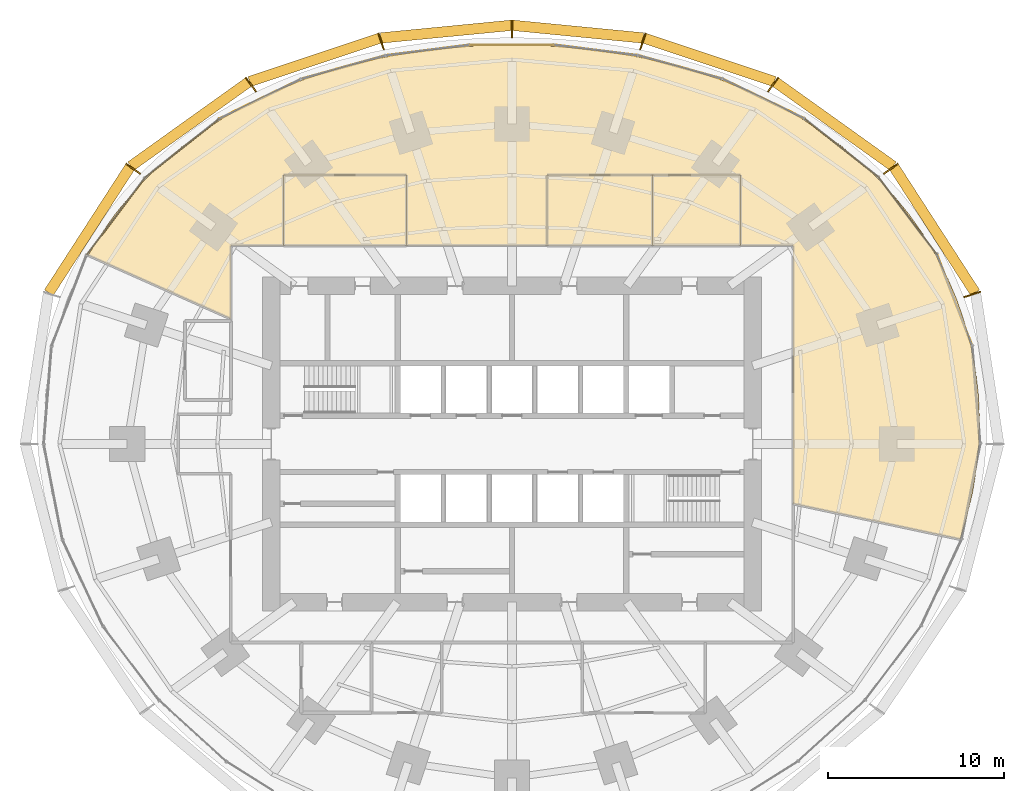
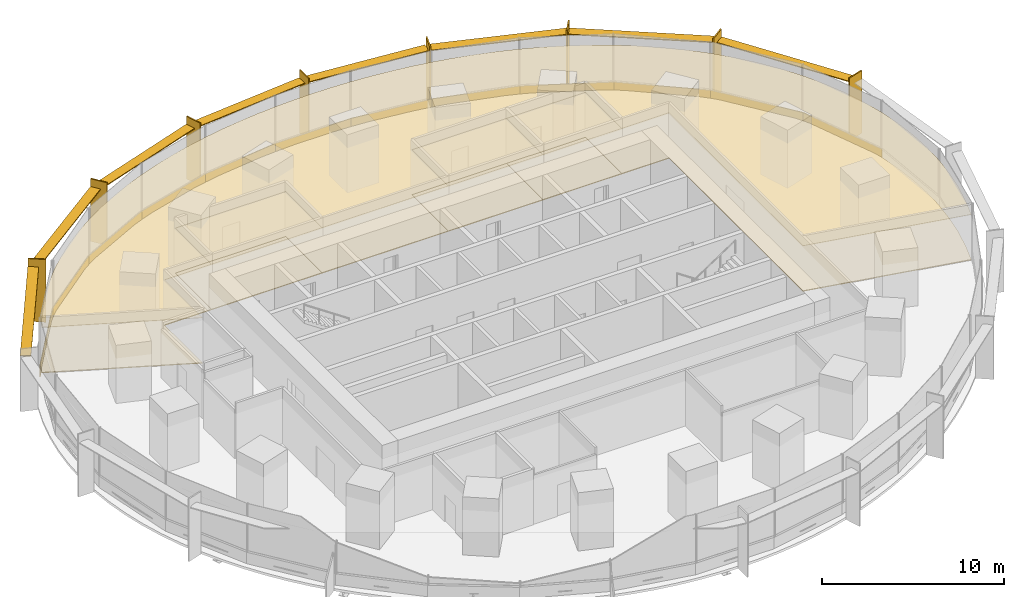
# One storey, part 15 of 15: 20 coverings, 16 shading devices.
"""IFC4 building model written with IfcOpenShell, lengths in metres."""

from ifc_helpers import new_model, si_unit, direction, frame, origin, origin_2d, place, context, subcontext, project, spatial, polyline, rectangle, outline, extrude, material, layer, layer_set, type_object, element, save


model = new_model("IFC4")

# Units and contexts
model_context = context("Model", 3, precision=1e-05, world=origin(), true_north=direction((0.0, 1.0)))
body_context = subcontext(model_context, "Body", "Model", "MODEL_VIEW")
ifc_project = project(units=[si_unit("LENGTHUNIT", "METRE"), si_unit("AREAUNIT", "SQUARE_METRE"), si_unit("VOLUMEUNIT", "CUBIC_METRE"), si_unit("PLANEANGLEUNIT", "RADIAN"), si_unit("MASSUNIT", "GRAM", prefix="KILO")], contexts=[model_context])

# Site, building, storey
site_placement = place(None, origin())
site = spatial("IfcSite", under=ifc_project, at=site_placement, CompositionType="ELEMENT")
building_placement = place(site_placement, origin())
building = spatial("IfcBuilding", under=site, at=building_placement, Name="Marramba Exchange Tower", CompositionType="ELEMENT")
storey_placement = place(building_placement, frame((0.0, 0.0, 36.39990234375)))
storey = spatial("IfcBuildingStorey", under=building, at=storey_placement, Name="L08", CompositionType="ELEMENT", Elevation=36.39990234375)

# Shading devices
ifc_material_1 = material(Name="Aluminium blade, timber-look bronze finish", Category="wood")
ifc_layer_1 = layer(ifc_material_1, 0.080078125)
ifc_layer_set_1 = layer_set([ifc_layer_1], Name="Floor-edge blade 1000x80")
shading_device_type_1 = type_object("IfcShadingDeviceType", Name="Floor-edge blade 1000x80", PredefinedType="USERDEFINED", material=ifc_layer_set_1)
for number, where, z_axis, x_axis, name in (
    (1, (26.193115234375, 8.5107421875, -0.15966796875), (0.0, 0.0, 1.0), (0.951056516295, 0.309016994375, 0.0), "Floor-edge blade FB1 L08 TC02"),
    (2, (21.56298828125, 15.66650390625, -0.15966796875), (0.0, 0.0, 1.0), (0.809016994375, 0.587785252292, 0.0), "Floor-edge blade FB1 L08 TC03"),
    (3, (14.857666015625, 20.449951171875, -0.15966796875), (0.0, 0.0, 1.0), (0.587785252292, 0.809016994375, 0.0), "Floor-edge blade FB1 L08 TC04"),
    (4, (7.444091796875, 22.910888671875, -0.15966796875), (0.0, 0.0, 1.0), (0.309016994375, 0.951056516295, 0.0), "Floor-edge blade FB1 L08 TC05"),
    (5, (0.0, 23.6279296875, -0.15966796875), (0.0, 0.0, 1.0), (0.0, 1.0, 0.0), "Floor-edge blade FB1 L08 TC06"),
    (6, (-7.444091796875, 22.910888671875, -0.15966796875), (0.0, 0.0, 1.0), (-0.309016994375, 0.951056516295, 0.0), "Floor-edge blade FB1 L08 TC07"),
    (7, (-14.857666015625, 20.449951171875, -0.15966796875), (0.0, 0.0, 1.0), (-0.587785252292, 0.809016994375, 0.0), "Floor-edge blade FB1 L08 TC08"),
    (8, (-21.56298828125, 15.66650390625, -0.15966796875), (0.0, 0.0, 1.0), (-0.809016994375, 0.587785252292, 0.0), "Floor-edge blade FB1 L08 TC09"),
):
    element("IfcShadingDevice", number, at=place(storey_placement, frame(where, z_axis=z_axis, x_axis=x_axis)), inside=storey, type_object=shading_device_type_1, Name=name, ObjectType="FIN", PredefinedType="USERDEFINED", context=body_context, shape_type="SweptSolid", body=[
        extrude(rectangle(XDim=1.0, YDim=0.080078125, at=origin_2d()), origin(), (0.0, 0.0, 1.0), 4.199951171875),
    ])

# Coverings
ifc_material_2 = material(Name="Steel raised access floor panels", Category="steel")
ifc_layer_2 = layer(ifc_material_2, 0.050048828125)
ifc_layer_set_2 = layer_set([ifc_layer_2], Name="Raised access floor 300")
covering_type_1 = type_object("IfcCoveringType", Name="Raised access floor 300", PredefinedType="FLOORING", material=ifc_layer_set_2)
covering_1_placement = place(storey_placement, frame((0.0, 0.0, 0.25)))
element("IfcCovering", 9, at=covering_1_placement, inside=storey, type_object=covering_type_1, Name="Raised access floor RAF1 L08 Trading Floor 1", PredefinedType="FLOORING", context=body_context, shape_type="SweptSolid", body=[
    extrude(outline(polyline([(13.0, 11.300048828125), (13.0, 15.300048828125), (8.0, 15.300048828125), (2.0, 15.300048828125), (2.0, 11.300048828125), (-6.0, 11.300048828125), (-6.0, 15.300048828125), (-13.0, 15.300048828125), (-13.0, 11.300048828125), (-16.0, 11.300048828125), (-16.0, 7.123779296875), (-24.12353515625, 10.740478515625), (-23.40380859375, 11.9248046875), (-22.607177734375, 13.05224609375), (-21.740478515625, 14.118408203125), (-20.810791015625, 15.119873046875), (-19.8251953125, 16.05419921875), (-18.791259765625, 16.919677734375), (-17.71630859375, 17.71630859375), (-16.60693359375, 18.44384765625), (-15.4697265625, 19.103759765625), (-14.31103515625, 19.697509765625), (-13.135986328125, 20.2275390625), (-11.94921875, 20.69677734375), (-10.755126953125, 21.10791015625), (-9.556640625, 21.464599609375), (-8.356689453125, 21.76953125), (-7.15673828125, 22.0263671875), (-5.95849609375, 22.23779296875), (-4.7626953125, 22.406982421875), (-3.5693359375, 22.535888671875), (-2.378173828125, 22.62646484375), (-1.188720703125, 22.68017578125), (0.0, 22.697998046875), (1.188720703125, 22.68017578125), (2.378173828125, 22.62646484375), (3.5693359375, 22.535888671875), (4.7626953125, 22.406982421875), (5.95849609375, 22.23779296875), (7.15673828125, 22.0263671875), (8.356689453125, 21.76953125), (9.556640625, 21.464599609375), (10.755126953125, 21.10791015625), (11.94921875, 20.69677734375), (13.135986328125, 20.2275390625), (14.31103515625, 19.697509765625), (15.4697265625, 19.103759765625), (16.60693359375, 18.44384765625), (17.71630859375, 17.71630859375), (18.791259765625, 16.919677734375), (19.8251953125, 16.05419921875), (20.810791015625, 15.119873046875), (21.740478515625, 14.118408203125), (22.607177734375, 13.05224609375), (23.40380859375, 11.9248046875), (24.12353515625, 10.740478515625), (24.76025390625, 9.50439453125), (25.30859375, 8.22314453125), (25.763916015625, 6.9033203125), (26.123291015625, 5.552734375), (26.3837890625, 4.1787109375), (26.544921875, 2.7900390625), (26.6064453125, 1.394287109375), (26.570068359375, 0.0), (26.43798828125, -1.385498046875), (26.213623046875, -2.755126953125), (25.9013671875, -4.102294921875), (25.50634765625, -5.421630859375), (16.0, -3.40087890625), (16.0, 11.300048828125), (13.0, 11.300048828125)])), origin(), (0.0, 0.0, 1.0), 0.050048828125),
])
covering_2_placement = place(storey_placement, frame((0.0, 0.0, 0.25)))
element("IfcCovering", 10, at=covering_2_placement, inside=storey, type_object=covering_type_1, Name="Raised access floor RAF1 L08 Meeting Room 1", PredefinedType="FLOORING", context=body_context, shape_type="SweptSolid", body=[
    extrude(outline(polyline([(8.0, 11.300048828125), (2.0, 11.300048828125), (2.0, 15.300048828125), (8.0, 15.300048828125), (8.0, 11.300048828125)])), origin(), (0.0, 0.0, 1.0), 0.050048828125),
])
covering_3_placement = place(storey_placement, frame((0.0, 0.0, 0.25)))
element("IfcCovering", 11, at=covering_3_placement, inside=storey, type_object=covering_type_1, Name="Raised access floor RAF1 L08 Data Room 1", PredefinedType="FLOORING", context=body_context, shape_type="SweptSolid", body=[
    extrude(outline(polyline([(13.0, 11.300048828125), (8.0, 11.300048828125), (8.0, 15.300048828125), (13.0, 15.300048828125), (13.0, 11.300048828125)])), origin(), (0.0, 0.0, 1.0), 0.050048828125),
])
covering_4_placement = place(storey_placement, frame((0.0, 0.0, 0.25)))
element("IfcCovering", 12, at=covering_4_placement, inside=storey, type_object=covering_type_1, Name="Raised access floor RAF1 L08 Meeting Room 2", PredefinedType="FLOORING", context=body_context, shape_type="SweptSolid", body=[
    extrude(outline(polyline([(-6.0, 11.300048828125), (-13.0, 11.300048828125), (-13.0, 15.300048828125), (-6.0, 15.300048828125), (-6.0, 11.300048828125)])), origin(), (0.0, 0.0, 1.0), 0.050048828125),
])

# Shading devices
ifc_material_3 = material(Name="Aluminium sunshade, bronze anodised", Category="aluminium")
ifc_layer_3 = layer(ifc_material_3, 0.06005859375)
ifc_layer_set_3 = layer_set([ifc_layer_3], Name="SUNSHADE blade 600x60")
shading_device_type_2 = type_object("IfcShadingDeviceType", Name="SUNSHADE blade 600x60", PredefinedType="USERDEFINED", material=ifc_layer_set_3)
shading_device_1_placement = place(storey_placement, frame((24.053955078125, 12.17822265625, 3.4599609375), z_axis=(0.0, 0.0, 1.0), x_axis=(-0.542596596948, 0.839993412462, 0.0)))
element("IfcShadingDevice", 13, at=shading_device_1_placement, inside=storey, type_object=shading_device_type_2, Name="Sunshade SS1 L08 bay 02", ObjectType="SUNSHADE", PredefinedType="USERDEFINED", context=body_context, shape_type="SweptSolid", body=[
    extrude(rectangle(XDim=8.50537109375, YDim=0.60009765625, at=origin_2d()), origin(), (0.0, 0.0, 1.0), 0.06005859375),
])
shading_device_2_placement = place(storey_placement, frame((18.35009765625, 18.19775390625, 3.4599609375), z_axis=(0.0, 0.0, 1.0), x_axis=(-0.813362978246, 0.581756534659, 0.0)))
element("IfcShadingDevice", 14, at=shading_device_2_placement, inside=storey, type_object=shading_device_type_2, Name="Sunshade SS1 L08 bay 03", ObjectType="SUNSHADE", PredefinedType="USERDEFINED", context=body_context, shape_type="SweptSolid", body=[
    extrude(rectangle(XDim=8.218505859375, YDim=0.60009765625, at=origin_2d()), origin(), (0.0, 0.0, 1.0), 0.06005859375),
])
shading_device_3_placement = place(storey_placement, frame((11.24072265625, 21.8564453125, 3.4599609375), z_axis=(0.0, 0.0, 1.0), x_axis=(-0.948697789537, 0.316184288235, 0.0)))
element("IfcShadingDevice", 15, at=shading_device_3_placement, inside=storey, type_object=shading_device_type_2, Name="Sunshade SS1 L08 bay 04", ObjectType="SUNSHADE", PredefinedType="USERDEFINED", context=body_context, shape_type="SweptSolid", body=[
    extrude(rectangle(XDim=7.793212890625, YDim=0.60009765625, at=origin_2d()), origin(), (0.0, 0.0, 1.0), 0.06005859375),
])
for number, where, z_axis, x_axis, name in (
    (16, (3.7529296875, 23.464599609375, 3.4599609375), (0.0, 0.0, 1.0), (-0.995342876176, 0.096397919302, 0.0), "Sunshade SS1 L08 bay 05"),
    (17, (-3.7529296875, 23.464599609375, 3.4599609375), (0.0, 0.0, 1.0), (-0.995342876176, -0.096397919302, 0.0), "Sunshade SS1 L08 bay 06"),
):
    element("IfcShadingDevice", number, at=place(storey_placement, frame(where, z_axis=z_axis, x_axis=x_axis)), inside=storey, type_object=shading_device_type_2, Name=name, ObjectType="SUNSHADE", PredefinedType="USERDEFINED", context=body_context, shape_type="SweptSolid", body=[
        extrude(rectangle(XDim=7.461181640625, YDim=0.60009765625, at=origin_2d()), origin(), (0.0, 0.0, 1.0), 0.06005859375),
    ])
shading_device_4_placement = place(storey_placement, frame((-11.24072265625, 21.8564453125, 3.4599609375), z_axis=(0.0, 0.0, 1.0), x_axis=(-0.948697789537, -0.316184288235, 0.0)))
element("IfcShadingDevice", 18, at=shading_device_4_placement, inside=storey, type_object=shading_device_type_2, Name="Sunshade SS1 L08 bay 07", ObjectType="SUNSHADE", PredefinedType="USERDEFINED", context=body_context, shape_type="SweptSolid", body=[
    extrude(rectangle(XDim=7.793212890625, YDim=0.60009765625, at=origin_2d()), origin(), (0.0, 0.0, 1.0), 0.06005859375),
])
shading_device_5_placement = place(storey_placement, frame((-18.35009765625, 18.19775390625, 3.4599609375), z_axis=(0.0, 0.0, 1.0), x_axis=(-0.813362978246, -0.581756534659, 0.0)))
element("IfcShadingDevice", 19, at=shading_device_5_placement, inside=storey, type_object=shading_device_type_2, Name="Sunshade SS1 L08 bay 08", ObjectType="SUNSHADE", PredefinedType="USERDEFINED", context=body_context, shape_type="SweptSolid", body=[
    extrude(rectangle(XDim=8.218505859375, YDim=0.60009765625, at=origin_2d()), origin(), (0.0, 0.0, 1.0), 0.06005859375),
])
shading_device_6_placement = place(storey_placement, frame((-24.053955078125, 12.17822265625, 3.4599609375), z_axis=(0.0, 0.0, 1.0), x_axis=(-0.542596596948, -0.839993412462, 0.0)))
element("IfcShadingDevice", 20, at=shading_device_6_placement, inside=storey, type_object=shading_device_type_2, Name="Sunshade SS1 L08 bay 09", ObjectType="SUNSHADE", PredefinedType="USERDEFINED", context=body_context, shape_type="SweptSolid", body=[
    extrude(rectangle(XDim=8.50537109375, YDim=0.60009765625, at=origin_2d()), origin(), (0.0, 0.0, 1.0), 0.06005859375),
])

# Coverings
ifc_material_4 = material(Name="Aluminium spandrel panel, bronze anodised, insulated", Category="aluminium")
ifc_layer_4 = layer(ifc_material_4, 0.050048828125)
ifc_layer_set_4 = layer_set([ifc_layer_4], Name="Spandrel panel 800")
covering_type_2 = type_object("IfcCoveringType", Name="Spandrel panel 800", PredefinedType="CLADDING", material=ifc_layer_set_4)
covering_5_placement = place(storey_placement, frame((25.198974609375, 8.171142578125, 0.0), z_axis=(0.0, 0.0, 1.0), x_axis=(-0.359525512701, 0.933135255854, 0.0)))
element("IfcCovering", 21, at=covering_5_placement, inside=storey, type_object=covering_type_2, Name="Spandrel panel SP1 L08 F02", PredefinedType="CLADDING", context=body_context, shape_type="SweptSolid", body=[
    extrude(rectangle(XDim=5.57666015625, YDim=0.050048828125, at=origin_2d()), origin(), (0.0, 0.0, 1.0), 0.800048828125),
])
covering_6_placement = place(storey_placement, frame((22.535888671875, 12.969970703125, 0.0), z_axis=(0.0, 0.0, 1.0), x_axis=(-0.602989761876, 0.797748924834, 0.0)))
element("IfcCovering", 22, at=covering_6_placement, inside=storey, type_object=covering_type_2, Name="Spandrel panel SP1 L08 F03", PredefinedType="CLADDING", context=body_context, shape_type="SweptSolid", body=[
    extrude(rectangle(XDim=5.5078125, YDim=0.050048828125, at=origin_2d()), origin(), (0.0, 0.0, 1.0), 0.800048828125),
])
covering_7_placement = place(storey_placement, frame((18.767822265625, 16.8349609375, 0.0), z_axis=(0.0, 0.0, 1.0), x_axis=(-0.784087946735, 0.620649733574, 0.0)))
element("IfcCovering", 23, at=covering_7_placement, inside=storey, type_object=covering_type_2, Name="Spandrel panel SP1 L08 F04", PredefinedType="CLADDING", context=body_context, shape_type="SweptSolid", body=[
    extrude(rectangle(XDim=5.375732421875, YDim=0.050048828125, at=origin_2d()), origin(), (0.0, 0.0, 1.0), 0.800048828125),
])
covering_8_placement = place(storey_placement, frame((14.324951171875, 19.634765625, 0.0), z_axis=(0.0, 0.0, 1.0), x_axis=(-0.899963432359, 0.435965389012, 0.0)))
element("IfcCovering", 24, at=covering_8_placement, inside=storey, type_object=covering_type_2, Name="Spandrel panel SP1 L08 F05", PredefinedType="CLADDING", context=body_context, shape_type="SweptSolid", body=[
    extrude(rectangle(XDim=5.1904296875, YDim=0.050048828125, at=origin_2d()), origin(), (0.0, 0.0, 1.0), 0.800048828125),
])
covering_9_placement = place(storey_placement, frame((9.58544921875, 21.434326171875, 0.0), z_axis=(0.0, 0.0, 1.0), x_axis=(-0.963472098411, 0.267808729475, 0.0)))
element("IfcCovering", 25, at=covering_9_placement, inside=storey, type_object=covering_type_2, Name="Spandrel panel SP1 L08 F06", PredefinedType="CLADDING", context=body_context, shape_type="SweptSolid", body=[
    extrude(rectangle(XDim=4.989990234375, YDim=0.050048828125, at=origin_2d()), origin(), (0.0, 0.0, 1.0), 0.800048828125),
])
covering_10_placement = place(storey_placement, frame((4.783935546875, 22.404296875, 0.0), z_axis=(0.0, 0.0, 1.0), x_axis=(-0.992172768222, 0.124872727203, 0.0)))
element("IfcCovering", 26, at=covering_10_placement, inside=storey, type_object=covering_type_2, Name="Spandrel panel SP1 L08 F07", PredefinedType="CLADDING", context=body_context, shape_type="SweptSolid", body=[
    extrude(rectangle(XDim=4.832763671875, YDim=0.050048828125, at=origin_2d()), origin(), (0.0, 0.0, 1.0), 0.800048828125),
])
covering_11_placement = place(storey_placement, frame((0.0, 22.7060546875, 0.0), z_axis=(0.0, 0.0, 1.0), x_axis=(-1.0, 0.0, 0.0)))
element("IfcCovering", 27, at=covering_11_placement, inside=storey, type_object=covering_type_2, Name="Spandrel panel SP1 L08 F08", PredefinedType="CLADDING", context=body_context, shape_type="SweptSolid", body=[
    extrude(rectangle(XDim=4.77294921875, YDim=0.050048828125, at=origin_2d()), origin(), (0.0, 0.0, 1.0), 0.800048828125),
])
covering_12_placement = place(storey_placement, frame((-4.783935546875, 22.404296875, 0.0), z_axis=(0.0, 0.0, 1.0), x_axis=(-0.992172768222, -0.124872727203, 0.0)))
element("IfcCovering", 28, at=covering_12_placement, inside=storey, type_object=covering_type_2, Name="Spandrel panel SP1 L08 F09", PredefinedType="CLADDING", context=body_context, shape_type="SweptSolid", body=[
    extrude(rectangle(XDim=4.832763671875, YDim=0.050048828125, at=origin_2d()), origin(), (0.0, 0.0, 1.0), 0.800048828125),
])
covering_13_placement = place(storey_placement, frame((-9.58544921875, 21.434326171875, 0.0), z_axis=(0.0, 0.0, 1.0), x_axis=(-0.963472098411, -0.267808729475, 0.0)))
element("IfcCovering", 29, at=covering_13_placement, inside=storey, type_object=covering_type_2, Name="Spandrel panel SP1 L08 F10", PredefinedType="CLADDING", context=body_context, shape_type="SweptSolid", body=[
    extrude(rectangle(XDim=4.989990234375, YDim=0.050048828125, at=origin_2d()), origin(), (0.0, 0.0, 1.0), 0.800048828125),
])
covering_14_placement = place(storey_placement, frame((-14.324951171875, 19.634765625, 0.0), z_axis=(0.0, 0.0, 1.0), x_axis=(-0.899963432359, -0.435965389012, 0.0)))
element("IfcCovering", 30, at=covering_14_placement, inside=storey, type_object=covering_type_2, Name="Spandrel panel SP1 L08 F11", PredefinedType="CLADDING", context=body_context, shape_type="SweptSolid", body=[
    extrude(rectangle(XDim=5.1904296875, YDim=0.050048828125, at=origin_2d()), origin(), (0.0, 0.0, 1.0), 0.800048828125),
])
covering_15_placement = place(storey_placement, frame((-18.767822265625, 16.8349609375, 0.0), z_axis=(0.0, 0.0, 1.0), x_axis=(-0.784087946735, -0.620649733574, 0.0)))
element("IfcCovering", 31, at=covering_15_placement, inside=storey, type_object=covering_type_2, Name="Spandrel panel SP1 L08 F12", PredefinedType="CLADDING", context=body_context, shape_type="SweptSolid", body=[
    extrude(rectangle(XDim=5.375732421875, YDim=0.050048828125, at=origin_2d()), origin(), (0.0, 0.0, 1.0), 0.800048828125),
])
covering_16_placement = place(storey_placement, frame((-22.535888671875, 12.969970703125, 0.0), z_axis=(0.0, 0.0, 1.0), x_axis=(-0.602989761876, -0.797748924834, 0.0)))
element("IfcCovering", 32, at=covering_16_placement, inside=storey, type_object=covering_type_2, Name="Spandrel panel SP1 L08 F13", PredefinedType="CLADDING", context=body_context, shape_type="SweptSolid", body=[
    extrude(rectangle(XDim=5.5078125, YDim=0.050048828125, at=origin_2d()), origin(), (0.0, 0.0, 1.0), 0.800048828125),
])
ifc_material_5 = material(Name="Mineral fibre ceiling tiles", Category="gypsum")
ifc_layer_5 = layer(ifc_material_5, 0.02001953125)
ifc_layer_set_5 = layer_set([ifc_layer_5], Name="Suspended ceiling 20")
covering_type_3 = type_object("IfcCoveringType", Name="Suspended ceiling 20", PredefinedType="CEILING", material=ifc_layer_set_5)
covering_17_placement = place(storey_placement, frame((0.0, 0.0, 3.300048828125)))
element("IfcCovering", 33, at=covering_17_placement, inside=storey, type_object=covering_type_3, Name="Ceiling CL1 L08 Trading Floor 1", PredefinedType="CEILING", context=body_context, shape_type="SweptSolid", body=[
    extrude(outline(polyline([(13.0, 11.300048828125), (13.0, 15.300048828125), (8.0, 15.300048828125), (2.0, 15.300048828125), (2.0, 11.300048828125), (-6.0, 11.300048828125), (-6.0, 15.300048828125), (-13.0, 15.300048828125), (-13.0, 11.300048828125), (-16.0, 11.300048828125), (-16.0, 7.123779296875), (-24.12353515625, 10.740478515625), (-23.40380859375, 11.9248046875), (-22.607177734375, 13.05224609375), (-21.740478515625, 14.118408203125), (-20.810791015625, 15.119873046875), (-19.8251953125, 16.05419921875), (-18.791259765625, 16.919677734375), (-17.71630859375, 17.71630859375), (-16.60693359375, 18.44384765625), (-15.4697265625, 19.103759765625), (-14.31103515625, 19.697509765625), (-13.135986328125, 20.2275390625), (-11.94921875, 20.69677734375), (-10.755126953125, 21.10791015625), (-9.556640625, 21.464599609375), (-8.356689453125, 21.76953125), (-7.15673828125, 22.0263671875), (-5.95849609375, 22.23779296875), (-4.7626953125, 22.406982421875), (-3.5693359375, 22.535888671875), (-2.378173828125, 22.62646484375), (-1.188720703125, 22.68017578125), (0.0, 22.697998046875), (1.188720703125, 22.68017578125), (2.378173828125, 22.62646484375), (3.5693359375, 22.535888671875), (4.7626953125, 22.406982421875), (5.95849609375, 22.23779296875), (7.15673828125, 22.0263671875), (8.356689453125, 21.76953125), (9.556640625, 21.464599609375), (10.755126953125, 21.10791015625), (11.94921875, 20.69677734375), (13.135986328125, 20.2275390625), (14.31103515625, 19.697509765625), (15.4697265625, 19.103759765625), (16.60693359375, 18.44384765625), (17.71630859375, 17.71630859375), (18.791259765625, 16.919677734375), (19.8251953125, 16.05419921875), (20.810791015625, 15.119873046875), (21.740478515625, 14.118408203125), (22.607177734375, 13.05224609375), (23.40380859375, 11.9248046875), (24.12353515625, 10.740478515625), (24.76025390625, 9.50439453125), (25.30859375, 8.22314453125), (25.763916015625, 6.9033203125), (26.123291015625, 5.552734375), (26.3837890625, 4.1787109375), (26.544921875, 2.7900390625), (26.6064453125, 1.394287109375), (26.570068359375, 0.0), (26.43798828125, -1.385498046875), (26.213623046875, -2.755126953125), (25.9013671875, -4.102294921875), (25.50634765625, -5.421630859375), (16.0, -3.40087890625), (16.0, 11.300048828125), (13.0, 11.300048828125)])), origin(), (0.0, 0.0, 1.0), 0.02001953125),
])
covering_18_placement = place(storey_placement, frame((0.0, 0.0, 3.300048828125)))
element("IfcCovering", 34, at=covering_18_placement, inside=storey, type_object=covering_type_3, Name="Ceiling CL1 L08 Meeting Room 1", PredefinedType="CEILING", context=body_context, shape_type="SweptSolid", body=[
    extrude(outline(polyline([(8.0, 11.300048828125), (2.0, 11.300048828125), (2.0, 15.300048828125), (8.0, 15.300048828125), (8.0, 11.300048828125)])), origin(), (0.0, 0.0, 1.0), 0.02001953125),
])
covering_19_placement = place(storey_placement, frame((0.0, 0.0, 3.300048828125)))
element("IfcCovering", 35, at=covering_19_placement, inside=storey, type_object=covering_type_3, Name="Ceiling CL1 L08 Data Room 1", PredefinedType="CEILING", context=body_context, shape_type="SweptSolid", body=[
    extrude(outline(polyline([(13.0, 11.300048828125), (8.0, 11.300048828125), (8.0, 15.300048828125), (13.0, 15.300048828125), (13.0, 11.300048828125)])), origin(), (0.0, 0.0, 1.0), 0.02001953125),
])
covering_20_placement = place(storey_placement, frame((0.0, 0.0, 3.300048828125)))
element("IfcCovering", 36, at=covering_20_placement, inside=storey, type_object=covering_type_3, Name="Ceiling CL1 L08 Meeting Room 2", PredefinedType="CEILING", context=body_context, shape_type="SweptSolid", body=[
    extrude(outline(polyline([(-6.0, 11.300048828125), (-13.0, 11.300048828125), (-13.0, 15.300048828125), (-6.0, 15.300048828125), (-6.0, 11.300048828125)])), origin(), (0.0, 0.0, 1.0), 0.02001953125),
])

save(model, "model.ifc")
